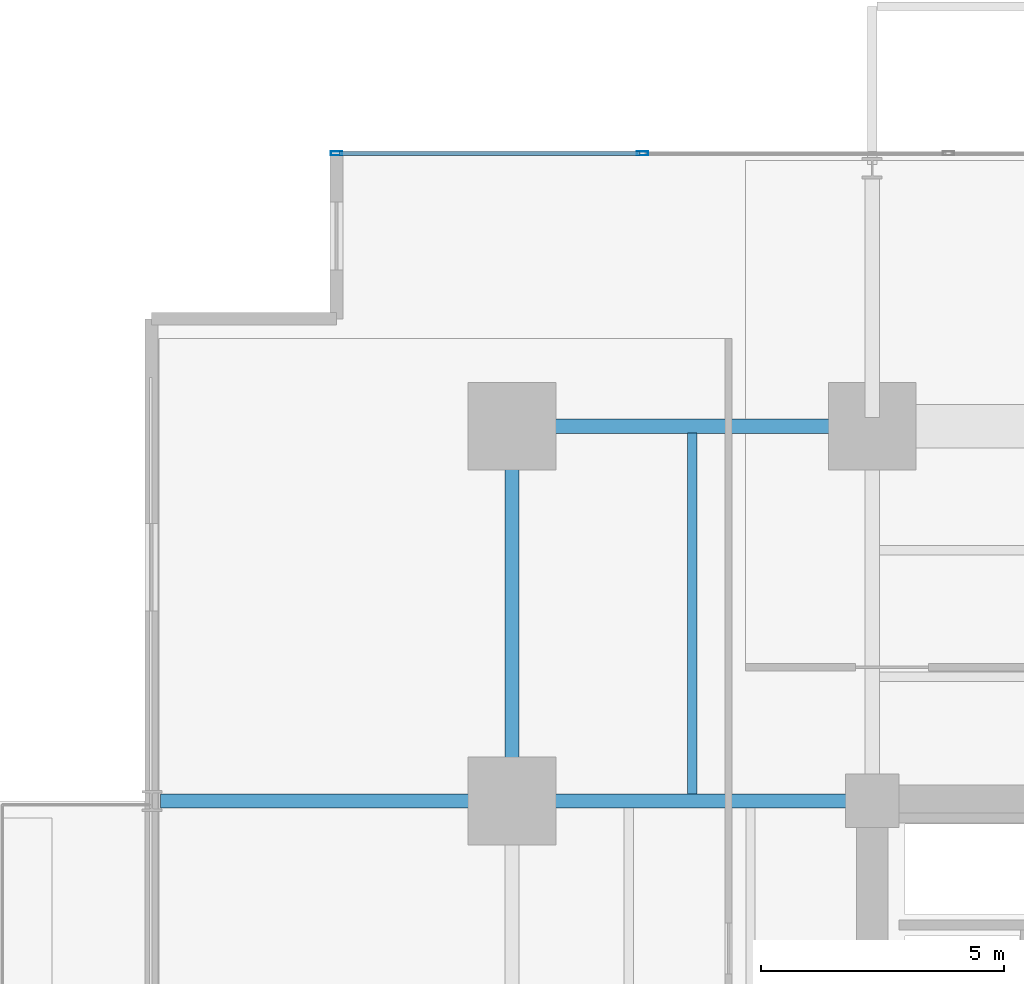
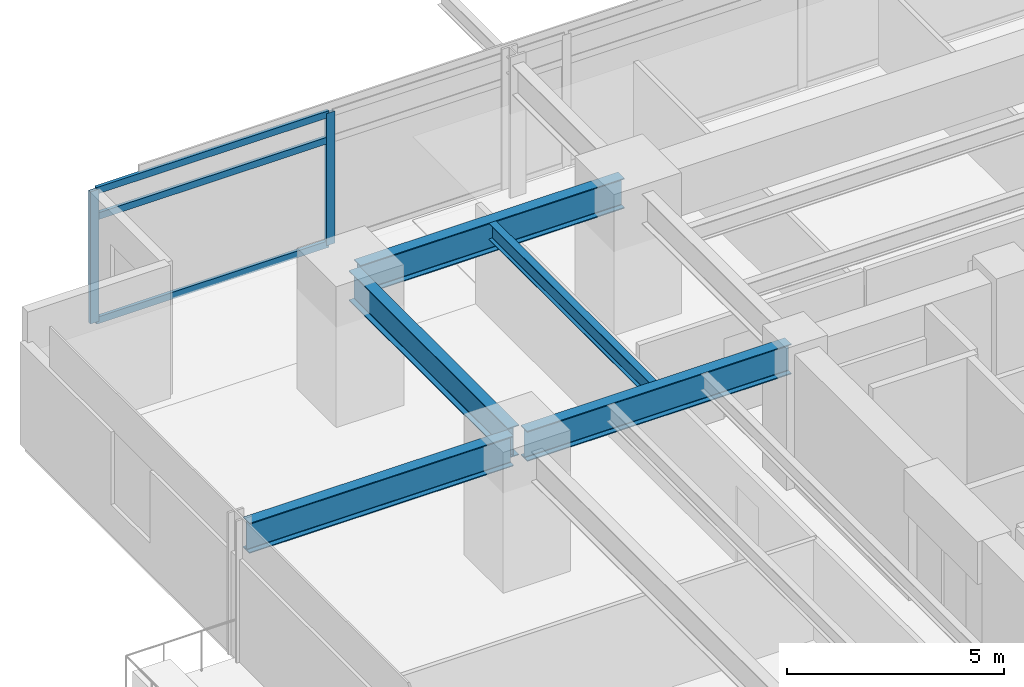
# One storey, part 5 of 22: 5 beams, 5 members, 1 element without a shape of its own.
"""IFC4 building model written with IfcOpenShell, lengths in metres."""

from ifc_helpers import new_model, si_unit, direction, frame, origin, origin_2d, place, context, subcontext, project, spatial, hollow_rectangle, i_section, extrude, material, material_profile, profile_set, type_object, element, aggregate, save


model = new_model("IFC4")

# Units and contexts
model_context = context("Model", 3, precision=1e-05, world=origin(), true_north=direction((0.0, 1.0)))
body_context = subcontext(model_context, "Body", "Model", "MODEL_VIEW")
ifc_project = project(units=[si_unit("LENGTHUNIT", "METRE"), si_unit("AREAUNIT", "SQUARE_METRE"), si_unit("VOLUMEUNIT", "CUBIC_METRE"), si_unit("PLANEANGLEUNIT", "RADIAN"), si_unit("MASSUNIT", "GRAM", prefix="KILO")], contexts=[model_context])

# Site, building, storey
site_placement = place(None, origin())
site = spatial("IfcSite", under=ifc_project, at=site_placement, CompositionType="ELEMENT")
building_placement = place(site_placement, origin())
building = spatial("IfcBuilding", under=site, at=building_placement, Name="Kovane Verandah Tower", CompositionType="ELEMENT")
storey_placement = place(building_placement, frame((0.0, 0.0, 59.60009765625)))
storey = spatial("IfcBuildingStorey", under=building, at=storey_placement, Name="L13", CompositionType="ELEMENT", Elevation=59.60009765625)

# Beams
ifc_material_1 = material(Name="Steel S355", Category="steel")
ifc_material_profile_1 = material_profile(ifc_material_1, i_section(OverallWidth=0.293701171875, OverallDepth=0.850830078125, WebThickness=0.01611328125, FlangeThickness=0.02685546875, FilletRadius=0.017822265625, at=origin_2d()), Name="UB838x292x226")
ifc_profile_set_1 = profile_set([ifc_material_profile_1], Name="Steel S355")
beam_type_1 = type_object("IfcBeamType", Name="BM-UB838x226", PredefinedType="BEAM", material=ifc_profile_set_1)
beam_1_placement = place(storey_placement, frame((21.780029296875, 44.199951171875, 3.33447265625), z_axis=(1.0, 0.0, 0.0), x_axis=(0.0, 1.0, 0.0)))
element("IfcBeam", 1, at=beam_1_placement, inside=storey, type_object=beam_type_1, Name="L13 Primary Tower Girder G-RN1", PredefinedType="BEAM", context=body_context, shape_type="SweptSolid", body=[
    extrude(i_section(OverallWidth=0.293701171875, OverallDepth=0.850830078125, WebThickness=0.01611328125, FlangeThickness=0.02685546875, FilletRadius=0.017822265625, at=origin_2d()), origin(), (0.0, 0.0, 1.0), 7.0400390625),
])
beam_2_placement = place(storey_placement, frame((21.60009765625, 36.679931640625, 3.33447265625), z_axis=(0.0, 1.0, 0.0), x_axis=(-1.0, 0.0, 0.0)))
element("IfcBeam", 2, at=beam_2_placement, inside=storey, type_object=beam_type_1, Name="L13 Primary Tower Girder G-RW3", PredefinedType="BEAM", context=body_context, shape_type="SweptSolid", body=[
    extrude(i_section(OverallWidth=0.293701171875, OverallDepth=0.850830078125, WebThickness=0.01611328125, FlangeThickness=0.02685546875, FilletRadius=0.017822265625, at=origin_2d()), origin(), (0.0, 0.0, 1.0), 7.340087890625),
])
for number, where, z_axis, x_axis, name in (
    (3, (28.820068359375, 36.5, 3.33447265625), (-1.0, 0.0, 0.0), (0.0, -1.0, 0.0), "L13 Primary Tower Girder G-W2"),
    (4, (21.419921875, 36.5, 3.33447265625), (-1.0, 0.0, 0.0), (0.0, -1.0, 0.0), "L13 Primary Tower Girder G-VW2"),
):
    element("IfcBeam", number, at=place(storey_placement, frame(where, z_axis=z_axis, x_axis=x_axis)), inside=storey, type_object=beam_type_1, Name=name, PredefinedType="BEAM", context=body_context, shape_type="SweptSolid", body=[
        extrude(i_section(OverallWidth=0.293701171875, OverallDepth=0.850830078125, WebThickness=0.01611328125, FlangeThickness=0.02685546875, FilletRadius=0.017822265625, at=origin_2d()), origin(), (0.0, 0.0, 1.0), 7.0400390625),
    ])

# Curtain wall, members
ifc_material_2 = material(Name="Champagne Anodised Aluminium Frame with Low-E Clear Laminated Glass", Category="aluminium")
curtain_wall_type = type_object("IfcCurtainWallType", Name="CW-SYS-02-LOW", PredefinedType="NOTDEFINED", material=ifc_material_2)
curtain_wall_placement = place(storey_placement, origin())
curtain_wall = element("IfcCurtainWall", 5, at=curtain_wall_placement, inside=storey, type_object=curtain_wall_type, Name="L13 N Unitised Curtain Wall", PredefinedType="NOTDEFINED")
ifc_material_3 = material(Name="Champagne Anodised Aluminium 6063-T6", Category="aluminium")
ifc_material_profile_2 = material_profile(ifc_material_3, hollow_rectangle(XDim=0.0849609375, YDim=0.22998046875, WallThickness=0.00390625, at=origin_2d()), Name="AL85x230x4")
ifc_profile_set_2 = profile_set([ifc_material_profile_2], Name="Champagne Anodised Aluminium 6063-T6")
member_type_1 = type_object("IfcMemberType", Name="CW-MUL-85x230", PredefinedType="MULLION", material=ifc_profile_set_2)
member_1_placement = place(storey_placement, frame((24.281982421875, 49.8037109375, 0.02001953125), z_axis=(0.0, 0.0, 1.0), x_axis=(0.0, 1.0, 0.0)))
member_1 = element("IfcMember", 6, at=member_1_placement, type_object=member_type_1, Name="L13 N Unitised Curtain Wall Mullion 7", PredefinedType="MULLION", context=body_context, shape_type="SweptSolid", body=[
    extrude(hollow_rectangle(XDim=0.0849609375, YDim=0.22998046875, WallThickness=0.00390625, at=origin_2d()), origin(), (0.0, 0.0, 1.0), 3.719970703125),
])
member_2_placement = place(storey_placement, frame((17.994873046875, 49.8037109375, 0.02001953125), z_axis=(0.0, 0.0, 1.0), x_axis=(0.0, 1.0, 0.0)))
member_2 = element("IfcMember", 7, at=member_2_placement, type_object=member_type_1, Name="L13 N Unitised Curtain Wall Mullion 8", PredefinedType="MULLION", context=body_context, shape_type="SweptSolid", body=[
    extrude(hollow_rectangle(XDim=0.0849609375, YDim=0.22998046875, WallThickness=0.00390625, at=origin_2d()), origin(), (0.0, 0.0, 1.0), 3.719970703125),
])
ifc_material_profile_3 = material_profile(ifc_material_3, hollow_rectangle(XDim=0.0849609375, YDim=0.18994140625, WallThickness=0.00390625, at=origin_2d()), Name="AL85x190x4")
ifc_profile_set_3 = profile_set([ifc_material_profile_3], Name="Champagne Anodised Aluminium 6063-T6")
member_type_2 = type_object("IfcMemberType", Name="CW-TRN-85x190", PredefinedType="USERDEFINED", material=ifc_profile_set_3)
member_3_placement = place(storey_placement, frame((24.23193359375, 49.8037109375, 0.0498046875), z_axis=(-1.0, 0.0, 0.0), x_axis=(0.0, -1.0, 0.0)))
member_3 = element("IfcMember", 8, at=member_3_placement, type_object=member_type_2, Name="L13 N Unitised Curtain Wall Transom TB Bay 7", ObjectType="TRANSOM", PredefinedType="USERDEFINED", context=body_context, shape_type="SweptSolid", body=[
    extrude(hollow_rectangle(XDim=0.0849609375, YDim=0.18994140625, WallThickness=0.00390625, at=origin_2d()), origin(), (0.0, 0.0, 1.0), 6.18701171875),
])
member_4_placement = place(storey_placement, frame((24.23193359375, 49.8037109375, 2.97998046875), z_axis=(-1.0, 0.0, 0.0), x_axis=(0.0, -1.0, 0.0)))
member_4 = element("IfcMember", 9, at=member_4_placement, type_object=member_type_2, Name="L13 N Unitised Curtain Wall Transom TM Bay 7", ObjectType="TRANSOM", PredefinedType="USERDEFINED", context=body_context, shape_type="SweptSolid", body=[
    extrude(hollow_rectangle(XDim=0.0849609375, YDim=0.18994140625, WallThickness=0.00390625, at=origin_2d()), origin(), (0.0, 0.0, 1.0), 6.18701171875),
])
member_5_placement = place(storey_placement, frame((24.23193359375, 49.8037109375, 3.7099609375), z_axis=(-1.0, 0.0, 0.0), x_axis=(0.0, -1.0, 0.0)))
member_5 = element("IfcMember", 10, at=member_5_placement, type_object=member_type_2, Name="L13 N Unitised Curtain Wall Transom TT Bay 7", ObjectType="TRANSOM", PredefinedType="USERDEFINED", context=body_context, shape_type="SweptSolid", body=[
    extrude(hollow_rectangle(XDim=0.0849609375, YDim=0.18994140625, WallThickness=0.00390625, at=origin_2d()), origin(), (0.0, 0.0, 1.0), 6.18701171875),
])
aggregate(curtain_wall, [member_1, member_2, member_3, member_4, member_5])

# Beam
ifc_material_profile_4 = material_profile(ifc_material_1, i_section(OverallWidth=0.19287109375, OverallDepth=0.46728515625, WebThickness=0.011474609375, FlangeThickness=0.01953125, FilletRadius=0.01025390625, at=origin_2d()), Name="UB457x191x98")
ifc_profile_set_4 = profile_set([ifc_material_profile_4], Name="Steel S355")
beam_type_2 = type_object("IfcBeamType", Name="JST-UB457x98", PredefinedType="JOIST", material=ifc_profile_set_4)
beam_3_placement = place(storey_placement, frame((25.300048828125, 36.64501953125, 3.5263671875), z_axis=(0.0, 1.0, 0.0), x_axis=(-1.0, 0.0, 0.0)))
element("IfcBeam", 11, at=beam_3_placement, inside=storey, type_object=beam_type_2, Name="L13 Secondary Composite Joist J-NW1", PredefinedType="JOIST", context=body_context, shape_type="SweptSolid", body=[
    extrude(i_section(OverallWidth=0.19287109375, OverallDepth=0.46728515625, WebThickness=0.011474609375, FlangeThickness=0.01953125, FilletRadius=0.01025390625, at=origin_2d()), origin(), (0.0, 0.0, 1.0), 7.41015625),
])

save(model, "model.ifc")
